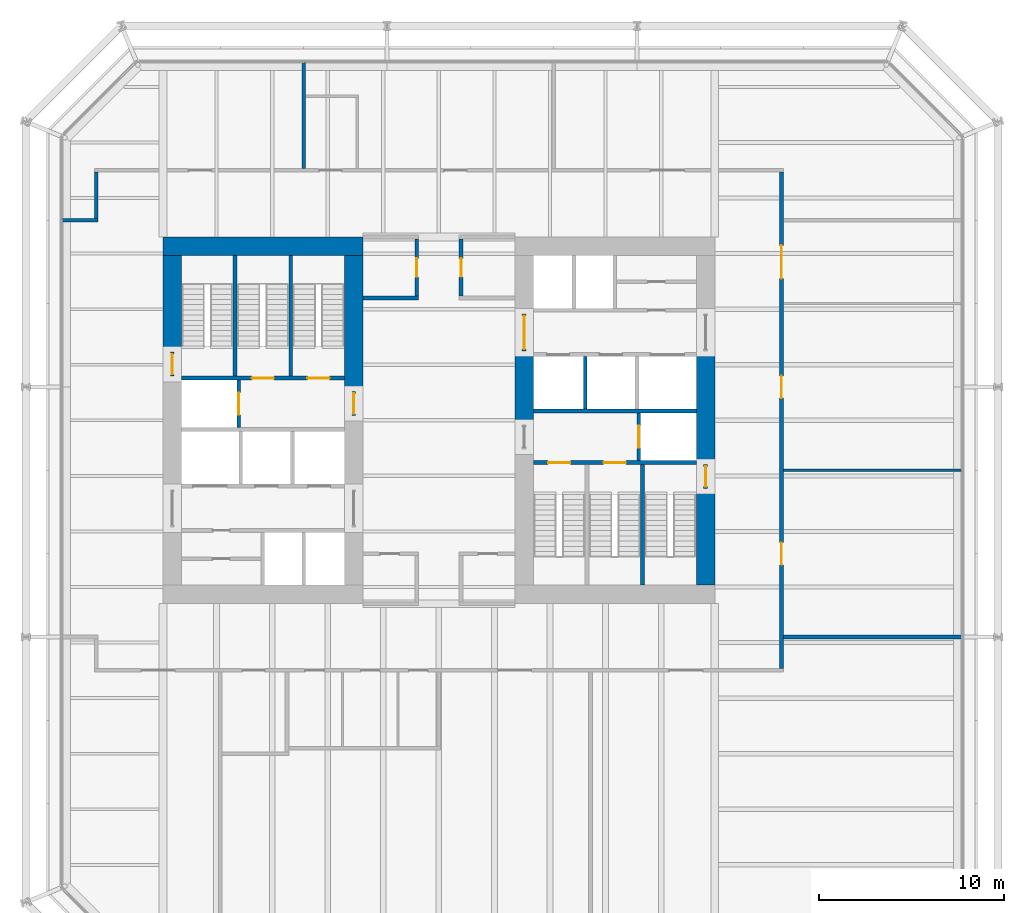
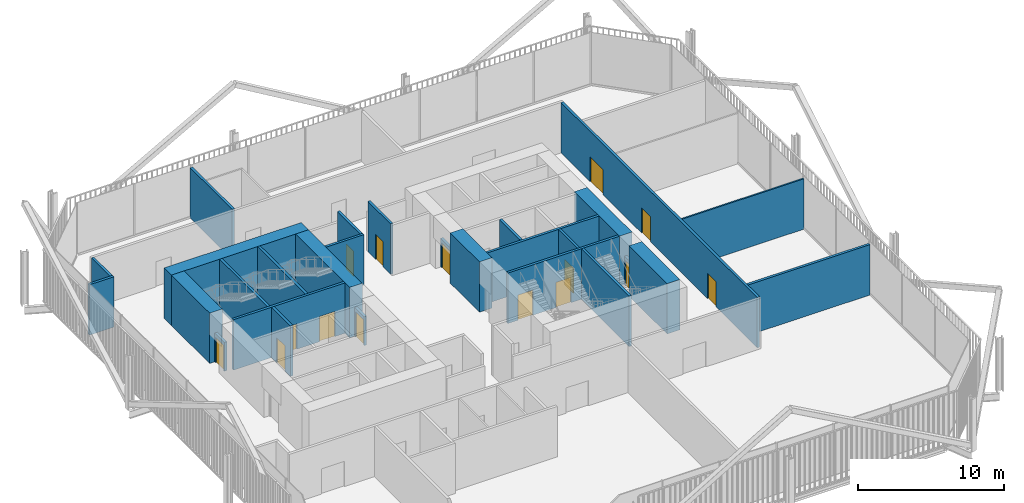
# One storey, part 18 of 21: 28 walls, 15 doors, 15 openings.
"""IFC4 building model written with IfcOpenShell, lengths in metres."""

from ifc_helpers import new_model, si_unit, direction, frame, frame_2d, origin, place, context, subcontext, project, spatial, rectangle, extrude, material, layer, layer_set, type_object, element, fill, save


model = new_model("IFC4")

# Units and contexts
model_context = context("Model", 3, precision=1e-05, world=origin(), true_north=direction((0.0, 1.0)))
body_context = subcontext(model_context, "Body", "Model", "MODEL_VIEW")
ifc_project = project(units=[si_unit("LENGTHUNIT", "METRE"), si_unit("AREAUNIT", "SQUARE_METRE"), si_unit("VOLUMEUNIT", "CUBIC_METRE"), si_unit("PLANEANGLEUNIT", "RADIAN"), si_unit("MASSUNIT", "GRAM", prefix="KILO")], contexts=[model_context])

# Site, building, storey
site_placement = place(None, origin())
site = spatial("IfcSite", under=ifc_project, at=site_placement, CompositionType="ELEMENT")
building_placement = place(site_placement, origin())
building = spatial("IfcBuilding", under=site, at=building_placement, Name="Millrace Tower", CompositionType="ELEMENT")
storey_placement = place(building_placement, frame((0.0, 0.0, 95.199951171875)))
storey = spatial("IfcBuildingStorey", under=building, at=storey_placement, Name="L21", CompositionType="ELEMENT", Elevation=95.199951171875)

# Walls
ifc_material_1 = material(Name="Concrete C80", Category="concrete")
ifc_layer_1 = layer(ifc_material_1, 1.0)
ifc_layer_set_1 = layer_set([ifc_layer_1], Name="Concrete C80")
wall_type_1 = type_object("IfcWallType", Name="Core wall 1000 Concrete C80", PredefinedType="SHEAR", material=ifc_layer_set_1)
wall_1_placement = place(storey_placement, frame((-14.89990234375, 9.39990234375, 0.0), z_axis=(0.0, 0.0, 1.0), x_axis=(1.0, 0.0, 0.0)))
element("IfcWall", 1, at=wall_1_placement, inside=storey, type_object=wall_type_1, Name="Core wall W L21", PredefinedType="SHEAR", context=body_context, shape_type="SweptSolid", body=[
    extrude(rectangle(XDim=10.7998046875, YDim=1.0, at=frame_2d((5.39990234375, 0.0))), origin(), (0.0, 0.0, 1.0), 4.199951171875),
])
wall_2_placement = place(storey_placement, frame((-14.39990234375, 3.679931640625, 0.0), z_axis=(0.0, 0.0, 1.0), x_axis=(0.0, 1.0, 0.0)))
element("IfcWall", 2, at=wall_2_placement, inside=storey, type_object=wall_type_1, Name="Core wall W L21", PredefinedType="SHEAR", context=body_context, shape_type="SweptSolid", body=[
    extrude(rectangle(XDim=5.219970703125, YDim=1.0, at=frame_2d((2.60986328125, 0.0))), origin(), (0.0, 0.0, 1.0), 4.199951171875),
])
wall_3_placement = place(storey_placement, frame((-4.60009765625, 1.550048828125, 0.0), z_axis=(0.0, 0.0, 1.0), x_axis=(0.0, 1.0, 0.0)))
element("IfcWall", 3, at=wall_3_placement, inside=storey, type_object=wall_type_1, Name="Core wall W L21", PredefinedType="SHEAR", context=body_context, shape_type="SweptSolid", body=[
    extrude(rectangle(XDim=7.349853515625, YDim=1.0, at=frame_2d((3.6748046875, 0.0))), origin(), (0.0, 0.0, 1.0), 4.199951171875),
])
wall_4_placement = place(storey_placement, frame((14.39990234375, 3.75, 0.0), z_axis=(0.0, 0.0, 1.0), x_axis=(0.0, -1.0, 0.0)))
element("IfcWall", 4, at=wall_4_placement, inside=storey, type_object=wall_type_1, Name="Core wall E L21", PredefinedType="SHEAR", context=body_context, shape_type="SweptSolid", body=[
    extrude(rectangle(XDim=6.1298828125, YDim=1.0, at=frame_2d((3.06494140625, 0.0))), origin(), (0.0, 0.0, 1.0), 4.199951171875),
])
wall_5_placement = place(storey_placement, frame((14.39990234375, -3.679931640625, 0.0), z_axis=(0.0, 0.0, 1.0), x_axis=(0.0, -1.0, 0.0)))
element("IfcWall", 5, at=wall_5_placement, inside=storey, type_object=wall_type_1, Name="Core wall E L21", PredefinedType="SHEAR", context=body_context, shape_type="SweptSolid", body=[
    extrude(rectangle(XDim=5.219970703125, YDim=1.0, at=frame_2d((2.60986328125, 0.0))), origin(), (0.0, 0.0, 1.0), 4.199951171875),
])
wall_6_placement = place(storey_placement, frame((4.60009765625, 3.75, 0.0), z_axis=(0.0, 0.0, 1.0), x_axis=(0.0, -1.0, 0.0)))
element("IfcWall", 6, at=wall_6_placement, inside=storey, type_object=wall_type_1, Name="Core wall E L21", PredefinedType="SHEAR", context=body_context, shape_type="SweptSolid", body=[
    extrude(rectangle(XDim=4.0, YDim=1.0, at=frame_2d((2.0, 0.0))), origin(), (0.0, 0.0, 1.0), 4.199951171875),
])
ifc_material_2 = material(Name="Masonry partition, fire-rated", Category="masonry")
ifc_layer_2 = layer(ifc_material_2, 0.199951171875)
ifc_layer_set_2 = layer_set([ifc_layer_2], Name="Masonry partition, fire-rated")
wall_type_2 = type_object("IfcWallType", Name="Corridor wall 200", PredefinedType="PARTITIONING", material=ifc_layer_set_2)
wall_7_placement = place(storey_placement, frame((18.60009765625, -11.699951171875, 0.0), z_axis=(0.0, 0.0, 1.0), x_axis=(1.0, 0.0, 0.0)))
element("IfcWall", 7, at=wall_7_placement, inside=storey, type_object=wall_type_2, Name="Corridor wall L21", PredefinedType="PARTITIONING", context=body_context, shape_type="SweptSolid", body=[
    extrude(rectangle(XDim=9.6298828125, YDim=0.199951171875, at=frame_2d((4.81494140625, 0.0))), origin(), (0.0, 0.0, 1.0), 4.199951171875),
])
wall_8_placement = place(storey_placement, frame((-4.10009765625, 6.60009765625, 0.0), z_axis=(0.0, 0.0, 1.0), x_axis=(1.0, 0.0, 0.0)))
element("IfcWall", 8, at=wall_8_placement, inside=storey, type_object=wall_type_2, Name="Corridor wall L21", PredefinedType="PARTITIONING", context=body_context, shape_type="SweptSolid", body=[
    extrude(rectangle(XDim=3.0, YDim=0.199951171875, at=frame_2d((1.5, 0.0))), origin(), (0.0, 0.0, 1.0), 4.199951171875),
])
wall_9_placement = place(storey_placement, frame((-20.330078125, 10.800048828125, 0.0), z_axis=(0.0, 0.0, 1.0), x_axis=(1.0, 0.0, 0.0)))
element("IfcWall", 9, at=wall_9_placement, inside=storey, type_object=wall_type_2, Name="Corridor wall L21", PredefinedType="PARTITIONING", context=body_context, shape_type="SweptSolid", body=[
    extrude(rectangle(XDim=1.93017578125, YDim=0.199951171875, at=frame_2d((0.965087890625, 0.0))), origin(), (0.0, 0.0, 1.0), 4.199951171875),
])

# Wall, openings, doors
wall_10_placement = place(storey_placement, frame((18.5, -13.39990234375, 0.0), z_axis=(0.0, 0.0, 1.0), x_axis=(0.0, 1.0, 0.0)))
wall_10 = element("IfcWall", 10, at=wall_10_placement, inside=storey, type_object=wall_type_2, Name="Corridor wall L21", PredefinedType="PARTITIONING", context=body_context, shape_type="SweptSolid", body=[
    extrude(rectangle(XDim=26.7998046875, YDim=0.199951171875, at=frame_2d((13.39990234375, 0.0))), origin(), (0.0, 0.0, 1.0), 4.199951171875),
])
opening_1_placement = place(wall_10_placement, frame((5.60009765625, 0.0, 0.0)))
opening_1 = element("IfcOpeningElement", 11, at=opening_1_placement, cuts=wall_10, Name="Opening 21-P013", PredefinedType="OPENING", context=body_context, shape_type="SweptSolid", body=[
    extrude(rectangle(XDim=1.199951171875, YDim=2.10009765625, at=frame_2d((0.60009765625, 1.050048828125))), frame((0.0, 0.10986328125, 0.0), z_axis=(0.0, -1.0, 0.0), x_axis=(1.0, 0.0, 0.0)), (0.0, 0.0, 1.0), 0.219970703125),
])
opening_2_placement = place(wall_10_placement, frame((14.60009765625, 0.0, 0.0)))
opening_2 = element("IfcOpeningElement", 12, at=opening_2_placement, cuts=wall_10, Name="Opening 21-P014", PredefinedType="OPENING", context=body_context, shape_type="SweptSolid", body=[
    extrude(rectangle(XDim=1.199951171875, YDim=2.10009765625, at=frame_2d((0.60009765625, 1.050048828125))), frame((0.0, 0.10986328125, 0.0), z_axis=(0.0, -1.0, 0.0), x_axis=(1.0, 0.0, 0.0)), (0.0, 0.0, 1.0), 0.219970703125),
])
opening_3_placement = place(wall_10_placement, frame((21.050048828125, 0.0, 0.0)))
opening_3 = element("IfcOpeningElement", 13, at=opening_3_placement, cuts=wall_10, Name="Opening 21-P015", PredefinedType="OPENING", context=body_context, shape_type="SweptSolid", body=[
    extrude(rectangle(XDim=1.800048828125, YDim=2.10009765625, at=frame_2d((0.89990234375, 1.050048828125))), frame((0.0, 0.10986328125, 0.0), z_axis=(0.0, -1.0, 0.0), x_axis=(1.0, 0.0, 0.0)), (0.0, 0.0, 1.0), 0.219970703125),
])
ifc_material_3 = material(Name="Steel door set, fire-rated", Category="steel")
door_type_1 = type_object("IfcDoorType", Name="Corridor door 1200 x 2100", OperationType="SINGLE_SWING_LEFT", PredefinedType="DOOR", material=ifc_material_3)
door_1_placement = place(opening_1_placement, frame((1.199951171875, 0.0, 0.0), z_axis=(0.0, 0.0, 1.0), x_axis=(-1.0, 0.0, 0.0)))
door_1 = element("IfcDoor", 14, at=door_1_placement, inside=storey, type_object=door_type_1, Name="Door 21-P013", OperationType="SINGLE_SWING_RIGHT", OverallHeight=2.10009765625, OverallWidth=1.199951171875, PredefinedType="DOOR", context=body_context, shape_type="SweptSolid", body=[
    extrude(rectangle(XDim=1.199951171875, YDim=2.10009765625, at=frame_2d((0.60009765625, 1.050048828125))), frame((0.0, 0.02490234375, 0.0), z_axis=(0.0, -1.0, 0.0), x_axis=(1.0, 0.0, 0.0)), (0.0, 0.0, 1.0), 0.050048828125),
])
fill(opening_1, door_1)
door_2_placement = place(opening_2_placement, frame((1.199951171875, 0.0, 0.0), z_axis=(0.0, 0.0, 1.0), x_axis=(-1.0, 0.0, 0.0)))
door_2 = element("IfcDoor", 15, at=door_2_placement, inside=storey, type_object=door_type_1, Name="Door 21-P014", OperationType="SINGLE_SWING_LEFT", OverallHeight=2.10009765625, OverallWidth=1.199951171875, PredefinedType="DOOR", context=body_context, shape_type="SweptSolid", body=[
    extrude(rectangle(XDim=1.199951171875, YDim=2.10009765625, at=frame_2d((0.60009765625, 1.050048828125))), frame((0.0, 0.02490234375, 0.0), z_axis=(0.0, -1.0, 0.0), x_axis=(1.0, 0.0, 0.0)), (0.0, 0.0, 1.0), 0.050048828125),
])
fill(opening_2, door_2)
ifc_material_4 = material(Name="Steel door set, fire-rated", Category="steel")
door_type_2 = type_object("IfcDoorType", Name="Corridor door 1800 x 2100", OperationType="DOUBLE_DOOR_SINGLE_SWING", PredefinedType="DOOR", material=ifc_material_4)
door_3_placement = place(opening_3_placement, frame((1.800048828125, 0.0, 0.0), z_axis=(0.0, 0.0, 1.0), x_axis=(-1.0, 0.0, 0.0)))
door_3 = element("IfcDoor", 16, at=door_3_placement, inside=storey, type_object=door_type_2, Name="Door 21-P015", OperationType="DOUBLE_DOOR_SINGLE_SWING", OverallHeight=2.10009765625, OverallWidth=1.800048828125, PredefinedType="DOOR", context=body_context, shape_type="SweptSolid", body=[
    extrude(rectangle(XDim=1.800048828125, YDim=2.10009765625, at=frame_2d((0.89990234375, 1.050048828125))), frame((0.0, 0.02490234375, 0.0), z_axis=(0.0, -1.0, 0.0), x_axis=(1.0, 0.0, 0.0)), (0.0, 0.0, 1.0), 0.050048828125),
])
fill(opening_3, door_3)

# Wall, opening, door
wall_11_placement = place(storey_placement, frame((1.199951171875, 6.699951171875, 0.0), z_axis=(0.0, 0.0, 1.0), x_axis=(0.0, 1.0, 0.0)))
wall_11 = element("IfcWall", 17, at=wall_11_placement, inside=storey, type_object=wall_type_2, Name="Corridor wall L21", PredefinedType="PARTITIONING", context=body_context, shape_type="SweptSolid", body=[
    extrude(rectangle(XDim=3.10009765625, YDim=0.199951171875, at=frame_2d((1.550048828125, 0.0))), origin(), (0.0, 0.0, 1.0), 4.199951171875),
])
opening_4_placement = place(wall_11_placement, frame((1.050048828125, 0.0, 0.0)))
opening_4 = element("IfcOpeningElement", 18, at=opening_4_placement, cuts=wall_11, Name="Opening 21-P002", PredefinedType="OPENING", context=body_context, shape_type="SweptSolid", body=[
    extrude(rectangle(XDim=1.0, YDim=2.10009765625, at=frame_2d((0.5, 1.050048828125))), frame((0.0, 0.10986328125, 0.0), z_axis=(0.0, -1.0, 0.0), x_axis=(1.0, 0.0, 0.0)), (0.0, 0.0, 1.0), 0.219970703125),
])
ifc_material_5 = material(Name="Steel door set, fire-rated", Category="steel")
door_type_3 = type_object("IfcDoorType", Name="Corridor door 1000 x 2100", OperationType="SINGLE_SWING_LEFT", PredefinedType="DOOR", material=ifc_material_5)
door_4_placement = place(opening_4_placement, frame((1.0, 0.0, 0.0), z_axis=(0.0, 0.0, 1.0), x_axis=(-1.0, 0.0, 0.0)))
door_4 = element("IfcDoor", 19, at=door_4_placement, inside=storey, type_object=door_type_3, Name="Door 21-P002", OperationType="SINGLE_SWING_RIGHT", OverallHeight=2.10009765625, OverallWidth=1.0, PredefinedType="DOOR", context=body_context, shape_type="SweptSolid", body=[
    extrude(rectangle(XDim=1.0, YDim=2.10009765625, at=frame_2d((0.5, 1.050048828125))), frame((0.0, 0.02490234375, 0.0), z_axis=(0.0, -1.0, 0.0), x_axis=(1.0, 0.0, 0.0)), (0.0, 0.0, 1.0), 0.050048828125),
])
fill(opening_4, door_4)

wall_12_placement = place(storey_placement, frame((-1.199951171875, 6.699951171875, 0.0), z_axis=(0.0, 0.0, 1.0), x_axis=(0.0, 1.0, 0.0)))
wall_12 = element("IfcWall", 20, at=wall_12_placement, inside=storey, type_object=wall_type_2, Name="Corridor wall L21", PredefinedType="PARTITIONING", context=body_context, shape_type="SweptSolid", body=[
    extrude(rectangle(XDim=3.10009765625, YDim=0.199951171875, at=frame_2d((1.550048828125, 0.0))), origin(), (0.0, 0.0, 1.0), 4.199951171875),
])
opening_5_placement = place(wall_12_placement, frame((1.050048828125, 0.0, 0.0)))
opening_5 = element("IfcOpeningElement", 21, at=opening_5_placement, cuts=wall_12, Name="Opening 21-P001", PredefinedType="OPENING", context=body_context, shape_type="SweptSolid", body=[
    extrude(rectangle(XDim=1.0, YDim=2.10009765625, at=frame_2d((0.5, 1.050048828125))), frame((0.0, 0.10986328125, 0.0), z_axis=(0.0, -1.0, 0.0), x_axis=(1.0, 0.0, 0.0)), (0.0, 0.0, 1.0), 0.219970703125),
])
door_5_placement = place(opening_5_placement, origin())
door_5 = element("IfcDoor", 22, at=door_5_placement, inside=storey, type_object=door_type_3, Name="Door 21-P001", OperationType="SINGLE_SWING_LEFT", OverallHeight=2.10009765625, OverallWidth=1.0, PredefinedType="DOOR", context=body_context, shape_type="SweptSolid", body=[
    extrude(rectangle(XDim=1.0, YDim=2.10009765625, at=frame_2d((0.5, 1.050048828125))), frame((0.0, 0.02490234375, 0.0), z_axis=(0.0, -1.0, 0.0), x_axis=(1.0, 0.0, 0.0)), (0.0, 0.0, 1.0), 0.050048828125),
])
fill(opening_5, door_5)

# Walls
wall_13_placement = place(storey_placement, frame((-7.300048828125, 13.60009765625, 0.0), z_axis=(0.0, 0.0, 1.0), x_axis=(0.0, 1.0, 0.0)))
element("IfcWall", 23, at=wall_13_placement, inside=storey, type_object=wall_type_2, Name="Corridor wall L21", PredefinedType="PARTITIONING", context=body_context, shape_type="SweptSolid", body=[
    extrude(rectangle(XDim=5.72998046875, YDim=0.199951171875, at=frame_2d((2.864990234375, 0.0))), origin(), (0.0, 0.0, 1.0), 4.199951171875),
])
wall_14_placement = place(storey_placement, frame((-18.5, 10.89990234375, 0.0), z_axis=(0.0, 0.0, 1.0), x_axis=(0.0, 1.0, 0.0)))
element("IfcWall", 24, at=wall_14_placement, inside=storey, type_object=wall_type_2, Name="Corridor wall L21", PredefinedType="PARTITIONING", context=body_context, shape_type="SweptSolid", body=[
    extrude(rectangle(XDim=2.5, YDim=0.199951171875, at=frame_2d((1.25, 0.0))), origin(), (0.0, 0.0, 1.0), 4.199951171875),
])

# Wall, opening, door
ifc_material_6 = material(Name="Masonry partition, fire-rated", Category="masonry")
ifc_layer_3 = layer(ifc_material_6, 0.199951171875)
ifc_layer_set_3 = layer_set([ifc_layer_3], Name="Masonry partition, fire-rated")
wall_type_3 = type_object("IfcWallType", Name="Lift shaft wall 200", PredefinedType="PARTITIONING", material=ifc_layer_set_3)
wall_15_placement = place(storey_placement, frame((-10.800048828125, -0.39990234375, 0.0), z_axis=(0.0, 0.0, 1.0), x_axis=(0.0, 1.0, 0.0)))
wall_15 = element("IfcWall", 25, at=wall_15_placement, inside=storey, type_object=wall_type_3, Name="Lift shaft wall W L21", PredefinedType="PARTITIONING", context=body_context, shape_type="SweptSolid", body=[
    extrude(rectangle(XDim=2.579833984375, YDim=0.199951171875, at=frame_2d((1.2900390625, 0.0))), origin(), (0.0, 0.0, 1.0), 4.199951171875),
])
opening_6_placement = place(wall_15_placement, frame((0.68994140625, 0.0, 0.0)))
opening_6 = element("IfcOpeningElement", 26, at=opening_6_placement, cuts=wall_15, Name="Opening 21-LD08", PredefinedType="OPENING", context=body_context, shape_type="SweptSolid", body=[
    extrude(rectangle(XDim=1.199951171875, YDim=2.10009765625, at=frame_2d((0.60009765625, 1.050048828125))), frame((0.0, 0.10986328125, 0.0), z_axis=(0.0, -1.0, 0.0), x_axis=(1.0, 0.0, 0.0)), (0.0, 0.0, 1.0), 0.219970703125),
])
ifc_material_7 = material(Name="Stainless steel, fire-rated", Category="steel")
door_type_4 = type_object("IfcDoorType", Name="Lift landing door 1200 x 2100", OperationType="DOUBLE_DOOR_SLIDING", PredefinedType="DOOR", material=ifc_material_7)
door_6_placement = place(opening_6_placement, origin())
door_6 = element("IfcDoor", 27, at=door_6_placement, inside=storey, type_object=door_type_4, Name="Lift landing door LF8 L21", OperationType="DOUBLE_DOOR_SLIDING", OverallHeight=2.10009765625, OverallWidth=1.199951171875, PredefinedType="DOOR", context=body_context, shape_type="SweptSolid", body=[
    extrude(rectangle(XDim=1.199951171875, YDim=2.10009765625, at=frame_2d((0.60009765625, 1.050048828125))), frame((0.0, 0.02490234375, 0.0), z_axis=(0.0, -1.0, 0.0), x_axis=(1.0, 0.0, 0.0)), (0.0, 0.0, 1.0), 0.050048828125),
])
fill(opening_6, door_6)

# Wall
wall_16_placement = place(storey_placement, frame((13.89990234375, 0.5, 0.0), z_axis=(0.0, 0.0, 1.0), x_axis=(-1.0, 0.0, 0.0)))
element("IfcWall", 28, at=wall_16_placement, inside=storey, type_object=wall_type_3, Name="Lift shaft wall E L21", PredefinedType="PARTITIONING", context=body_context, shape_type="SweptSolid", body=[
    extrude(rectangle(XDim=8.7998046875, YDim=0.199951171875, at=frame_2d((4.39990234375, 0.0))), origin(), (0.0, 0.0, 1.0), 4.199951171875),
])

# Wall, opening, door
wall_17_placement = place(storey_placement, frame((10.800048828125, 0.39990234375, 0.0), z_axis=(0.0, 0.0, 1.0), x_axis=(0.0, -1.0, 0.0)))
wall_17 = element("IfcWall", 29, at=wall_17_placement, inside=storey, type_object=wall_type_3, Name="Lift shaft wall E L21", PredefinedType="PARTITIONING", context=body_context, shape_type="SweptSolid", body=[
    extrude(rectangle(XDim=2.579833984375, YDim=0.199951171875, at=frame_2d((1.2900390625, 0.0))), origin(), (0.0, 0.0, 1.0), 4.199951171875),
])
opening_7_placement = place(wall_17_placement, frame((0.68994140625, 0.0, 0.0)))
opening_7 = element("IfcOpeningElement", 30, at=opening_7_placement, cuts=wall_17, Name="Opening 21-LD16", PredefinedType="OPENING", context=body_context, shape_type="SweptSolid", body=[
    extrude(rectangle(XDim=1.199951171875, YDim=2.10009765625, at=frame_2d((0.60009765625, 1.050048828125))), frame((0.0, 0.10986328125, 0.0), z_axis=(0.0, -1.0, 0.0), x_axis=(1.0, 0.0, 0.0)), (0.0, 0.0, 1.0), 0.219970703125),
])
door_7_placement = place(opening_7_placement, origin())
door_7 = element("IfcDoor", 31, at=door_7_placement, inside=storey, type_object=door_type_4, Name="Lift landing door LF16 L21", OperationType="DOUBLE_DOOR_SLIDING", OverallHeight=2.10009765625, OverallWidth=1.199951171875, PredefinedType="DOOR", context=body_context, shape_type="SweptSolid", body=[
    extrude(rectangle(XDim=1.199951171875, YDim=2.10009765625, at=frame_2d((0.60009765625, 1.050048828125))), frame((0.0, 0.02490234375, 0.0), z_axis=(0.0, -1.0, 0.0), x_axis=(1.0, 0.0, 0.0)), (0.0, 0.0, 1.0), 0.050048828125),
])
fill(opening_7, door_7)

# Wall
wall_18_placement = place(storey_placement, frame((7.89990234375, 3.449951171875, 0.0), z_axis=(0.0, 0.0, 1.0), x_axis=(0.0, -1.0, 0.0)))
element("IfcWall", 32, at=wall_18_placement, inside=storey, type_object=wall_type_3, Name="Lift shaft wall E L21", PredefinedType="PARTITIONING", context=body_context, shape_type="SweptSolid", body=[
    extrude(rectangle(XDim=2.849853515625, YDim=0.199951171875, at=frame_2d((1.4248046875, 0.0))), origin(), (0.0, 0.0, 1.0), 4.199951171875),
])

# Wall, opening, door
ifc_material_8 = material(Name="Masonry partition, fire-rated", Category="masonry")
ifc_layer_4 = layer(ifc_material_8, 0.199951171875)
ifc_layer_set_4 = layer_set([ifc_layer_4], Name="Masonry partition, fire-rated")
wall_type_4 = type_object("IfcWallType", Name="Lobby wall 200", PredefinedType="PARTITIONING", material=ifc_layer_set_4)
wall_19_placement = place(storey_placement, frame((-4.60009765625, 0.25, 0.0), z_axis=(0.0, 0.0, 1.0), x_axis=(0.0, 1.0, 0.0)))
wall_19 = element("IfcWall", 33, at=wall_19_placement, inside=storey, type_object=wall_type_4, Name="Lobby wall W L21", PredefinedType="PARTITIONING", context=body_context, shape_type="SweptSolid", body=[
    extrude(rectangle(XDim=1.300048828125, YDim=0.199951171875, at=frame_2d((0.64990234375, 0.0))), origin(), (0.0, 0.0, 1.0), 2.400146484375),
])
opening_8_placement = place(wall_19_placement, frame((0.10009765625, 0.0, 0.0)))
opening_8 = element("IfcOpeningElement", 34, at=opening_8_placement, cuts=wall_19, Name="Opening 21-C004", PredefinedType="OPENING", context=body_context, shape_type="SweptSolid", body=[
    extrude(rectangle(XDim=1.10009765625, YDim=2.10009765625, at=frame_2d((0.550048828125, 1.050048828125))), frame((0.0, 0.10986328125, 0.0), z_axis=(0.0, -1.0, 0.0), x_axis=(1.0, 0.0, 0.0)), (0.0, 0.0, 1.0), 0.219970703125),
])
ifc_material_9 = material(Name="Steel door, fire-rated", Category="steel")
door_type_5 = type_object("IfcDoorType", Name="Lobby door 1100 x 2100", OperationType="SINGLE_SWING_LEFT", PredefinedType="DOOR", material=ifc_material_9)
door_8_placement = place(opening_8_placement, origin())
door_8 = element("IfcDoor", 35, at=door_8_placement, inside=storey, type_object=door_type_5, Name="Lobby door 21-C004", OperationType="SINGLE_SWING_RIGHT", OverallHeight=2.10009765625, OverallWidth=1.10009765625, PredefinedType="DOOR", context=body_context, shape_type="SweptSolid", body=[
    extrude(rectangle(XDim=1.10009765625, YDim=2.10009765625, at=frame_2d((0.550048828125, 1.050048828125))), frame((0.0, 0.02490234375, 0.0), z_axis=(0.0, -1.0, 0.0), x_axis=(1.0, 0.0, 0.0)), (0.0, 0.0, 1.0), 0.050048828125),
])
fill(opening_8, door_8)

wall_20_placement = place(storey_placement, frame((4.60009765625, 5.75, 0.0), z_axis=(0.0, 0.0, 1.0), x_axis=(0.0, -1.0, 0.0)))
wall_20 = element("IfcWall", 36, at=wall_20_placement, inside=storey, type_object=wall_type_4, Name="Lobby wall E L21", PredefinedType="PARTITIONING", context=body_context, shape_type="SweptSolid", body=[
    extrude(rectangle(XDim=2.0, YDim=0.199951171875, at=frame_2d((1.0, 0.0))), origin(), (0.0, 0.0, 1.0), 2.400146484375),
])
opening_9_placement = place(wall_20_placement, frame((0.10009765625, 0.0, 0.0)))
opening_9 = element("IfcOpeningElement", 37, at=opening_9_placement, cuts=wall_20, Name="Opening 21-C011", PredefinedType="OPENING", context=body_context, shape_type="SweptSolid", body=[
    extrude(rectangle(XDim=1.800048828125, YDim=2.10009765625, at=frame_2d((0.89990234375, 1.050048828125))), frame((0.0, 0.10986328125, 0.0), z_axis=(0.0, -1.0, 0.0), x_axis=(1.0, 0.0, 0.0)), (0.0, 0.0, 1.0), 0.219970703125),
])
ifc_material_10 = material(Name="Steel door, fire-rated", Category="steel")
door_type_6 = type_object("IfcDoorType", Name="Lobby door 1800 x 2100", OperationType="DOUBLE_DOOR_SINGLE_SWING", PredefinedType="DOOR", material=ifc_material_10)
door_9_placement = place(opening_9_placement, origin())
door_9 = element("IfcDoor", 38, at=door_9_placement, inside=storey, type_object=door_type_6, Name="Lobby door 21-C011", OperationType="DOUBLE_DOOR_SINGLE_SWING", OverallHeight=2.10009765625, OverallWidth=1.800048828125, PredefinedType="DOOR", context=body_context, shape_type="SweptSolid", body=[
    extrude(rectangle(XDim=1.800048828125, YDim=2.10009765625, at=frame_2d((0.89990234375, 1.050048828125))), frame((0.0, 0.02490234375, 0.0), z_axis=(0.0, -1.0, 0.0), x_axis=(1.0, 0.0, 0.0)), (0.0, 0.0, 1.0), 0.050048828125),
])
fill(opening_9, door_9)

# Wall
ifc_material_11 = material(Name="Gypsum board partition")
ifc_layer_5 = layer(ifc_material_11, 0.1201171875)
ifc_layer_set_5 = layer_set([ifc_layer_5], Name="Gypsum board partition")
wall_type_5 = type_object("IfcWallType", Name="Partition wall 120", PredefinedType="PARTITIONING", material=ifc_layer_set_5)
wall_21_placement = place(storey_placement, frame((18.60009765625, -2.699951171875, 0.0), z_axis=(0.0, 0.0, 1.0), x_axis=(1.0, 0.0, 0.0)))
element("IfcWall", 39, at=wall_21_placement, inside=storey, type_object=wall_type_5, Name="Partition wall L21", PredefinedType="PARTITIONING", context=body_context, shape_type="SweptSolid", body=[
    extrude(rectangle(XDim=9.6298828125, YDim=0.1201171875, at=frame_2d((4.81494140625, 0.0))), origin(), (0.0, 0.0, 1.0), 4.199951171875),
])

# Wall, opening, door
ifc_material_12 = material(Name="Concrete C40", Category="concrete")
ifc_layer_6 = layer(ifc_material_12, 0.199951171875)
ifc_layer_set_6 = layer_set([ifc_layer_6], Name="Concrete C40")
wall_type_6 = type_object("IfcWallType", Name="Stair enclosure wall 200 Concrete C40", PredefinedType="SHEAR", material=ifc_layer_set_6)
wall_22_placement = place(storey_placement, frame((-14.39990234375, 2.3798828125, 0.0), z_axis=(0.0, 0.0, 1.0), x_axis=(0.0, 1.0, 0.0)))
wall_22 = element("IfcWall", 40, at=wall_22_placement, inside=storey, type_object=wall_type_6, Name="Stair enclosure wall W L21", PredefinedType="SHEAR", context=body_context, shape_type="SweptSolid", body=[
    extrude(rectangle(XDim=1.300048828125, YDim=0.199951171875, at=frame_2d((0.64990234375, 0.0))), origin(), (0.0, 0.0, 1.0), 2.400146484375),
])
opening_10_placement = place(wall_22_placement, frame((0.10009765625, 0.0, 0.0)))
opening_10 = element("IfcOpeningElement", 41, at=opening_10_placement, cuts=wall_22, Name="Opening 21-C002", PredefinedType="OPENING", context=body_context, shape_type="SweptSolid", body=[
    extrude(rectangle(XDim=1.10009765625, YDim=2.10009765625, at=frame_2d((0.550048828125, 1.050048828125))), frame((0.0, 0.10986328125, 0.0), z_axis=(0.0, -1.0, 0.0), x_axis=(1.0, 0.0, 0.0)), (0.0, 0.0, 1.0), 0.219970703125),
])
ifc_material_13 = material(Name="Steel door, fire-rated", Category="steel")
door_type_7 = type_object("IfcDoorType", Name="Stair door 1100 x 2100", OperationType="SINGLE_SWING_LEFT", PredefinedType="DOOR", material=ifc_material_13)
door_10_placement = place(opening_10_placement, origin())
door_10 = element("IfcDoor", 42, at=door_10_placement, inside=storey, type_object=door_type_7, Name="Stair door 21-C002", OperationType="SINGLE_SWING_RIGHT", OverallHeight=2.10009765625, OverallWidth=1.10009765625, PredefinedType="DOOR", context=body_context, shape_type="SweptSolid", body=[
    extrude(rectangle(XDim=1.10009765625, YDim=2.10009765625, at=frame_2d((0.550048828125, 1.050048828125))), frame((0.0, 0.02490234375, 0.0), z_axis=(0.0, -1.0, 0.0), x_axis=(1.0, 0.0, 0.0)), (0.0, 0.0, 1.0), 0.050048828125),
])
fill(opening_10, door_10)

# Wall, openings, doors
wall_23_placement = place(storey_placement, frame((-13.89990234375, 2.280029296875, 0.0), z_axis=(0.0, 0.0, 1.0), x_axis=(1.0, 0.0, 0.0)))
wall_23 = element("IfcWall", 43, at=wall_23_placement, inside=storey, type_object=wall_type_6, Name="Stair enclosure wall W L21", PredefinedType="SHEAR", context=body_context, shape_type="SweptSolid", body=[
    extrude(rectangle(XDim=8.7998046875, YDim=0.199951171875, at=frame_2d((4.39990234375, 0.0))), origin(), (0.0, 0.0, 1.0), 4.199951171875),
])
opening_11_placement = place(wall_23_placement, frame((3.800048828125, 0.0, 0.0)))
opening_11 = element("IfcOpeningElement", 44, at=opening_11_placement, cuts=wall_23, Name="Opening 21-C007", PredefinedType="OPENING", context=body_context, shape_type="SweptSolid", body=[
    extrude(rectangle(XDim=1.199951171875, YDim=2.10009765625, at=frame_2d((0.60009765625, 1.050048828125))), frame((0.0, 0.10986328125, 0.0), z_axis=(0.0, -1.0, 0.0), x_axis=(1.0, 0.0, 0.0)), (0.0, 0.0, 1.0), 0.219970703125),
])
opening_12_placement = place(wall_23_placement, frame((6.800048828125, 0.0, 0.0)))
opening_12 = element("IfcOpeningElement", 45, at=opening_12_placement, cuts=wall_23, Name="Opening 21-C008", PredefinedType="OPENING", context=body_context, shape_type="SweptSolid", body=[
    extrude(rectangle(XDim=1.199951171875, YDim=2.10009765625, at=frame_2d((0.60009765625, 1.050048828125))), frame((0.0, 0.10986328125, 0.0), z_axis=(0.0, -1.0, 0.0), x_axis=(1.0, 0.0, 0.0)), (0.0, 0.0, 1.0), 0.219970703125),
])
ifc_material_14 = material(Name="Steel door, fire-rated", Category="steel")
door_type_8 = type_object("IfcDoorType", Name="Stair door 1200 x 2100", OperationType="SINGLE_SWING_LEFT", PredefinedType="DOOR", material=ifc_material_14)
door_11_placement = place(opening_11_placement, frame((1.199951171875, 0.0, 0.0), z_axis=(0.0, 0.0, 1.0), x_axis=(-1.0, 0.0, 0.0)))
door_11 = element("IfcDoor", 46, at=door_11_placement, inside=storey, type_object=door_type_8, Name="Stair door 21-C007", OperationType="SINGLE_SWING_LEFT", OverallHeight=2.10009765625, OverallWidth=1.199951171875, PredefinedType="DOOR", context=body_context, shape_type="SweptSolid", body=[
    extrude(rectangle(XDim=1.199951171875, YDim=2.10009765625, at=frame_2d((0.60009765625, 1.050048828125))), frame((0.0, 0.02490234375, 0.0), z_axis=(0.0, -1.0, 0.0), x_axis=(1.0, 0.0, 0.0)), (0.0, 0.0, 1.0), 0.050048828125),
])
fill(opening_11, door_11)
door_12_placement = place(opening_12_placement, frame((1.199951171875, 0.0, 0.0), z_axis=(0.0, 0.0, 1.0), x_axis=(-1.0, 0.0, 0.0)))
door_12 = element("IfcDoor", 47, at=door_12_placement, inside=storey, type_object=door_type_8, Name="Stair door 21-C008", OperationType="SINGLE_SWING_LEFT", OverallHeight=2.10009765625, OverallWidth=1.199951171875, PredefinedType="DOOR", context=body_context, shape_type="SweptSolid", body=[
    extrude(rectangle(XDim=1.199951171875, YDim=2.10009765625, at=frame_2d((0.60009765625, 1.050048828125))), frame((0.0, 0.02490234375, 0.0), z_axis=(0.0, -1.0, 0.0), x_axis=(1.0, 0.0, 0.0)), (0.0, 0.0, 1.0), 0.050048828125),
])
fill(opening_12, door_12)

# Walls
for number, where, z_axis, x_axis, name in (
    (48, (-11.0, 2.3798828125, 0.0), (0.0, 0.0, 1.0), (0.0, 1.0, 0.0), "Stair enclosure wall W L21"),
    (49, (-8.0, 2.3798828125, 0.0), (0.0, 0.0, 1.0), (0.0, 1.0, 0.0), "Stair enclosure wall W L21"),
):
    element("IfcWall", number, at=place(storey_placement, frame(where, z_axis=z_axis, x_axis=x_axis)), inside=storey, type_object=wall_type_6, Name=name, PredefinedType="SHEAR", context=body_context, shape_type="SweptSolid", body=[
        extrude(rectangle(XDim=6.52001953125, YDim=0.199951171875, at=frame_2d((3.260009765625, 0.0))), origin(), (0.0, 0.0, 1.0), 4.199951171875),
    ])

# Wall, opening, door
wall_24_placement = place(storey_placement, frame((14.39990234375, -2.3798828125, 0.0), z_axis=(0.0, 0.0, 1.0), x_axis=(0.0, -1.0, 0.0)))
wall_24 = element("IfcWall", 50, at=wall_24_placement, inside=storey, type_object=wall_type_6, Name="Stair enclosure wall E L21", PredefinedType="SHEAR", context=body_context, shape_type="SweptSolid", body=[
    extrude(rectangle(XDim=1.300048828125, YDim=0.199951171875, at=frame_2d((0.64990234375, 0.0))), origin(), (0.0, 0.0, 1.0), 2.400146484375),
])
opening_13_placement = place(wall_24_placement, frame((0.10009765625, 0.0, 0.0)))
opening_13 = element("IfcOpeningElement", 51, at=opening_13_placement, cuts=wall_24, Name="Opening 21-C010", PredefinedType="OPENING", context=body_context, shape_type="SweptSolid", body=[
    extrude(rectangle(XDim=1.10009765625, YDim=2.10009765625, at=frame_2d((0.550048828125, 1.050048828125))), frame((0.0, 0.10986328125, 0.0), z_axis=(0.0, -1.0, 0.0), x_axis=(1.0, 0.0, 0.0)), (0.0, 0.0, 1.0), 0.219970703125),
])
door_13_placement = place(opening_13_placement, origin())
door_13 = element("IfcDoor", 52, at=door_13_placement, inside=storey, type_object=door_type_7, Name="Stair door 21-C010", OperationType="SINGLE_SWING_RIGHT", OverallHeight=2.10009765625, OverallWidth=1.10009765625, PredefinedType="DOOR", context=body_context, shape_type="SweptSolid", body=[
    extrude(rectangle(XDim=1.10009765625, YDim=2.10009765625, at=frame_2d((0.550048828125, 1.050048828125))), frame((0.0, 0.02490234375, 0.0), z_axis=(0.0, -1.0, 0.0), x_axis=(1.0, 0.0, 0.0)), (0.0, 0.0, 1.0), 0.050048828125),
])
fill(opening_13, door_13)

# Wall, openings, doors
wall_25_placement = place(storey_placement, frame((13.89990234375, -2.280029296875, 0.0), z_axis=(0.0, 0.0, 1.0), x_axis=(-1.0, 0.0, 0.0)))
wall_25 = element("IfcWall", 53, at=wall_25_placement, inside=storey, type_object=wall_type_6, Name="Stair enclosure wall E L21", PredefinedType="SHEAR", context=body_context, shape_type="SweptSolid", body=[
    extrude(rectangle(XDim=8.7998046875, YDim=0.199951171875, at=frame_2d((4.39990234375, 0.0))), origin(), (0.0, 0.0, 1.0), 4.199951171875),
])
opening_14_placement = place(wall_25_placement, frame((3.800048828125, 0.0, 0.0)))
opening_14 = element("IfcOpeningElement", 54, at=opening_14_placement, cuts=wall_25, Name="Opening 21-C015", PredefinedType="OPENING", context=body_context, shape_type="SweptSolid", body=[
    extrude(rectangle(XDim=1.199951171875, YDim=2.10009765625, at=frame_2d((0.60009765625, 1.050048828125))), frame((0.0, 0.10986328125, 0.0), z_axis=(0.0, -1.0, 0.0), x_axis=(1.0, 0.0, 0.0)), (0.0, 0.0, 1.0), 0.219970703125),
])
opening_15_placement = place(wall_25_placement, frame((6.800048828125, 0.0, 0.0)))
opening_15 = element("IfcOpeningElement", 55, at=opening_15_placement, cuts=wall_25, Name="Opening 21-C016", PredefinedType="OPENING", context=body_context, shape_type="SweptSolid", body=[
    extrude(rectangle(XDim=1.199951171875, YDim=2.10009765625, at=frame_2d((0.60009765625, 1.050048828125))), frame((0.0, 0.10986328125, 0.0), z_axis=(0.0, -1.0, 0.0), x_axis=(1.0, 0.0, 0.0)), (0.0, 0.0, 1.0), 0.219970703125),
])
door_14_placement = place(opening_14_placement, frame((1.199951171875, 0.0, 0.0), z_axis=(0.0, 0.0, 1.0), x_axis=(-1.0, 0.0, 0.0)))
door_14 = element("IfcDoor", 56, at=door_14_placement, inside=storey, type_object=door_type_8, Name="Stair door 21-C015", OperationType="SINGLE_SWING_LEFT", OverallHeight=2.10009765625, OverallWidth=1.199951171875, PredefinedType="DOOR", context=body_context, shape_type="SweptSolid", body=[
    extrude(rectangle(XDim=1.199951171875, YDim=2.10009765625, at=frame_2d((0.60009765625, 1.050048828125))), frame((0.0, 0.02490234375, 0.0), z_axis=(0.0, -1.0, 0.0), x_axis=(1.0, 0.0, 0.0)), (0.0, 0.0, 1.0), 0.050048828125),
])
fill(opening_14, door_14)
door_15_placement = place(opening_15_placement, frame((1.199951171875, 0.0, 0.0), z_axis=(0.0, 0.0, 1.0), x_axis=(-1.0, 0.0, 0.0)))
door_15 = element("IfcDoor", 57, at=door_15_placement, inside=storey, type_object=door_type_8, Name="Stair door 21-C016", OperationType="SINGLE_SWING_LEFT", OverallHeight=2.10009765625, OverallWidth=1.199951171875, PredefinedType="DOOR", context=body_context, shape_type="SweptSolid", body=[
    extrude(rectangle(XDim=1.199951171875, YDim=2.10009765625, at=frame_2d((0.60009765625, 1.050048828125))), frame((0.0, 0.02490234375, 0.0), z_axis=(0.0, -1.0, 0.0), x_axis=(1.0, 0.0, 0.0)), (0.0, 0.0, 1.0), 0.050048828125),
])
fill(opening_15, door_15)

# Wall
wall_26_placement = place(storey_placement, frame((11.0, -2.3798828125, 0.0), z_axis=(0.0, 0.0, 1.0), x_axis=(0.0, -1.0, 0.0)))
element("IfcWall", 58, at=wall_26_placement, inside=storey, type_object=wall_type_6, Name="Stair enclosure wall E L21", PredefinedType="SHEAR", context=body_context, shape_type="SweptSolid", body=[
    extrude(rectangle(XDim=6.52001953125, YDim=0.199951171875, at=frame_2d((3.260009765625, 0.0))), origin(), (0.0, 0.0, 1.0), 4.199951171875),
])

save(model, "model.ifc")
